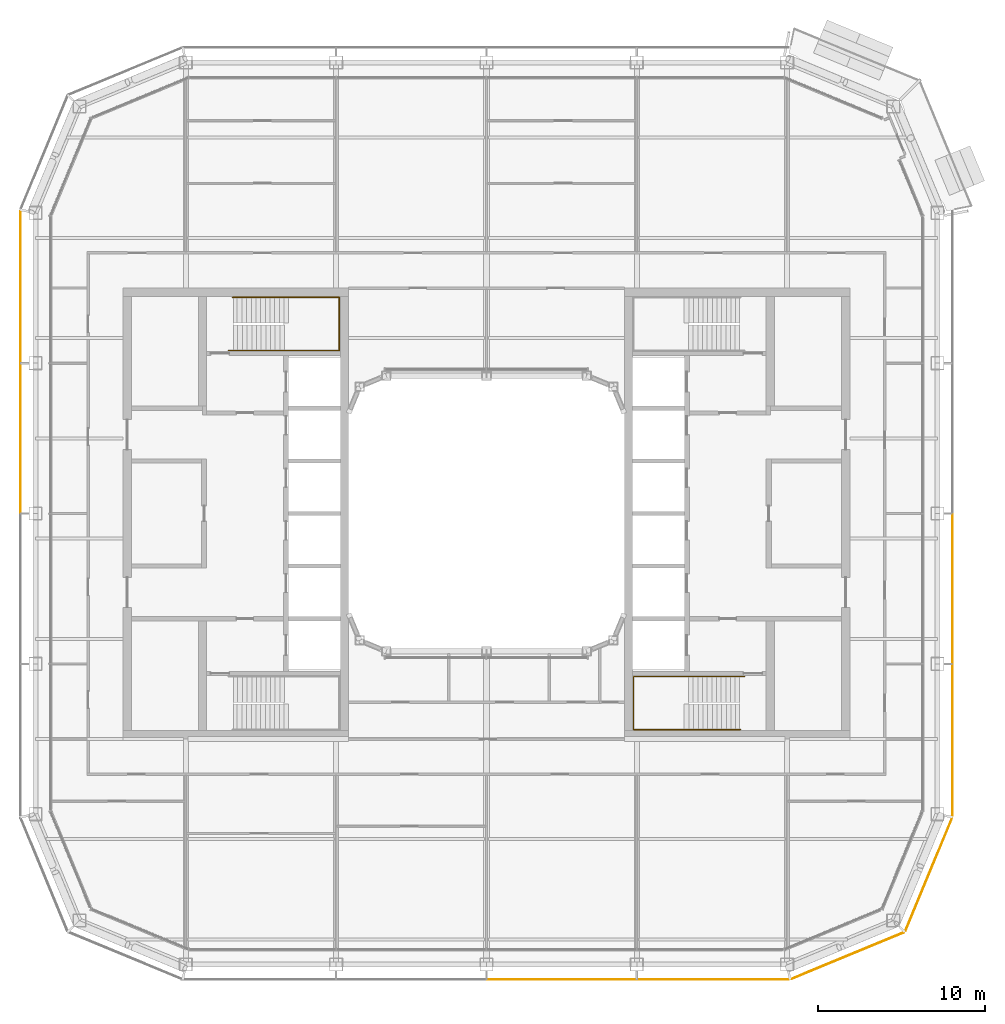
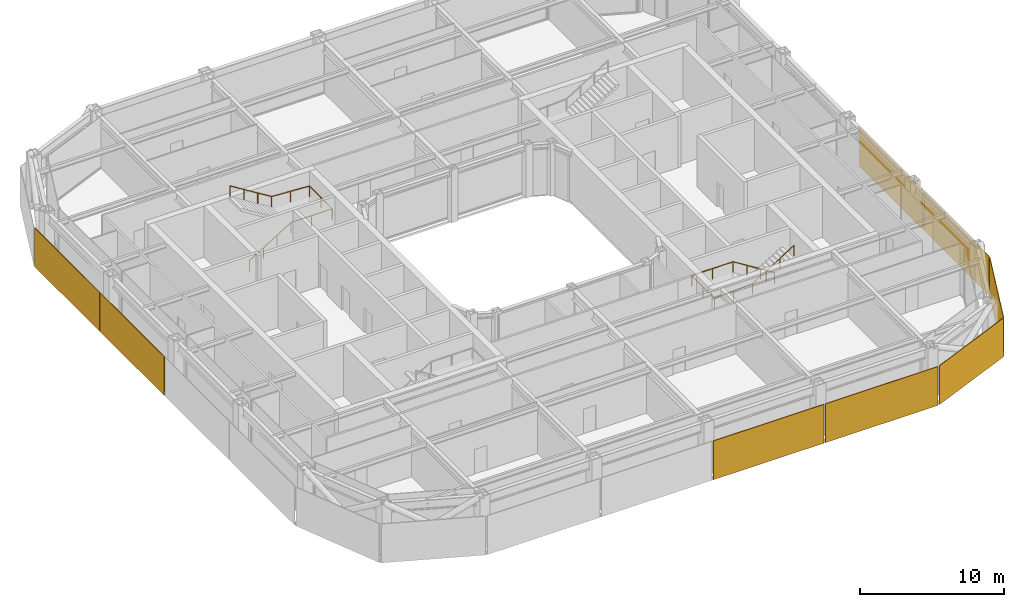
# One storey, part 20 of 23: 8 coverings, 2 railings.
"""IFC4 building model written with IfcOpenShell, lengths in metres."""

from ifc_helpers import new_model, si_unit, direction, frame, origin, origin_2d, place, context, subcontext, project, spatial, rectangle, circle, extrude, material, layer, layer_set, type_object, element, save


model = new_model("IFC4")

# Units and contexts
model_context = context("Model", 3, precision=1e-05, world=origin(), true_north=direction((0.0, 1.0)))
body_context = subcontext(model_context, "Body", "Model", "MODEL_VIEW")
ifc_project = project(units=[si_unit("LENGTHUNIT", "METRE"), si_unit("AREAUNIT", "SQUARE_METRE"), si_unit("VOLUMEUNIT", "CUBIC_METRE"), si_unit("PLANEANGLEUNIT", "RADIAN"), si_unit("MASSUNIT", "GRAM", prefix="KILO")], contexts=[model_context])

# Site, building, storey
site_placement = place(None, origin())
site = spatial("IfcSite", under=ifc_project, at=site_placement, CompositionType="ELEMENT")
building_placement = place(site_placement, origin())
building = spatial("IfcBuilding", under=site, at=building_placement, Name="Siwar Civic Tower", CompositionType="ELEMENT")
storey_placement = place(building_placement, frame((0.0, 0.0, 242.199951171875)))
storey = spatial("IfcBuildingStorey", under=building, at=storey_placement, Name="L52", CompositionType="ELEMENT", Elevation=242.199951171875)

# Railings
ifc_material_1 = material(Name="Stainless steel", Category="steel")
railing_type = type_object("IfcRailingType", Name="CORE-STAIR-HANDRAIL", PredefinedType="HANDRAIL", material=ifc_material_1)
railing_1_placement = place(storey_placement, frame((-15.449951171875, 9.758056640625, 0.173095703125)))
element("IfcRailing", 1, at=railing_1_placement, inside=storey, type_object=railing_type, Name="Stair handrail ST1", PredefinedType="HANDRAIL", context=body_context, shape_type="SweptSolid", body=[
    extrude(circle(Radius=0.02001953125, at=origin_2d()), frame((0.0, 0.0, 0.8798828125), z_axis=(0.847063342986, 0.0, 0.531491950051), x_axis=(0.0, 1.0, 0.0)), (0.0, 0.0, 1.0), 3.90771484375),
    extrude(circle(Radius=0.02001953125, at=origin_2d()), frame((3.31005859375, 0.0, 2.956787109375), z_axis=(1.0, 0.0, 0.0), x_axis=(0.0, 1.0, 0.0)), (0.0, 0.0, 1.0), 3.331787109375),
    extrude(circle(Radius=0.02001953125, at=origin_2d()), frame((6.641845703125, 0.0, 2.956787109375), z_axis=(0.0, 1.0, 0.0), x_axis=(-1.0, 0.0, 0.0)), (0.0, 0.0, 1.0), 3.183837890625),
    extrude(circle(Radius=0.02001953125, at=origin_2d()), frame((6.641845703125, 3.183837890625, 2.956787109375), z_axis=(-0.99837434197, 0.0, 0.056997134106), x_axis=(0.0, -1.0, 0.0)), (0.0, 0.0, 1.0), 3.036865234375),
    extrude(circle(Radius=0.02001953125, at=origin_2d()), frame((3.60986328125, 3.183837890625, 3.1298828125), z_axis=(-0.850606129759, 0.0, 0.525803396734), x_axis=(0.0, -1.0, 0.0)), (0.0, 0.0, 1.0), 3.949951171875),
    extrude(circle(Radius=0.02001953125, at=origin_2d()), origin(), (0.0, 0.0, 1.0), 0.85986328125),
    extrude(circle(Radius=0.02001953125, at=origin_2d()), frame((1.103271484375, 0.0, 0.6923828125)), (0.0, 0.0, 1.0), 0.85986328125),
    extrude(circle(Radius=0.02001953125, at=origin_2d()), frame((2.206787109375, 0.0, 1.384521484375)), (0.0, 0.0, 1.0), 0.85986328125),
    extrude(circle(Radius=0.02001953125, at=origin_2d()), frame((3.31005859375, 0.0, 2.076904296875)), (0.0, 0.0, 1.0), 0.85986328125),
    extrude(circle(Radius=0.02001953125, at=origin_2d()), frame((4.97607421875, 0.0, 2.076904296875)), (0.0, 0.0, 1.0), 0.85986328125),
    extrude(circle(Radius=0.02001953125, at=origin_2d()), frame((6.641845703125, 0.0, 2.076904296875)), (0.0, 0.0, 1.0), 0.85986328125),
    extrude(circle(Radius=0.02001953125, at=origin_2d()), frame((6.641845703125, 1.591796875, 2.076904296875)), (0.0, 0.0, 1.0), 0.85986328125),
    extrude(circle(Radius=0.02001953125, at=origin_2d()), frame((6.641845703125, 3.183837890625, 2.076904296875)), (0.0, 0.0, 1.0), 0.85986328125),
    extrude(circle(Radius=0.02001953125, at=origin_2d()), frame((5.1259765625, 3.183837890625, 2.16357421875)), (0.0, 0.0, 1.0), 0.85986328125),
    extrude(circle(Radius=0.02001953125, at=origin_2d()), frame((3.60986328125, 3.183837890625, 2.25)), (0.0, 0.0, 1.0), 0.85986328125),
    extrude(circle(Radius=0.02001953125, at=origin_2d()), frame((2.489990234375, 3.183837890625, 2.9423828125)), (0.0, 0.0, 1.0), 0.85986328125),
    extrude(circle(Radius=0.02001953125, at=origin_2d()), frame((1.369873046875, 3.183837890625, 3.634521484375)), (0.0, 0.0, 1.0), 0.85986328125),
    extrude(circle(Radius=0.02001953125, at=origin_2d()), frame((0.25, 3.183837890625, 4.326904296875)), (0.0, 0.0, 1.0), 0.85986328125),
])
railing_2_placement = place(storey_placement, frame((15.449951171875, -9.758056640625, 0.173095703125)))
element("IfcRailing", 2, at=railing_2_placement, inside=storey, type_object=railing_type, Name="Stair handrail ST4", PredefinedType="HANDRAIL", context=body_context, shape_type="SweptSolid", body=[
    extrude(circle(Radius=0.02001953125, at=origin_2d()), frame((0.0, 0.0, 0.8798828125), z_axis=(-0.847063342986, 0.0, 0.531491950051), x_axis=(0.0, -1.0, 0.0)), (0.0, 0.0, 1.0), 3.90771484375),
    extrude(circle(Radius=0.02001953125, at=origin_2d()), frame((-3.31005859375, 0.0, 2.956787109375), z_axis=(-1.0, 0.0, 0.0), x_axis=(0.0, -1.0, 0.0)), (0.0, 0.0, 1.0), 3.331787109375),
    extrude(circle(Radius=0.02001953125, at=origin_2d()), frame((-6.641845703125, 0.0, 2.956787109375), z_axis=(0.0, -1.0, 0.0), x_axis=(1.0, 0.0, 0.0)), (0.0, 0.0, 1.0), 3.183837890625),
    extrude(circle(Radius=0.02001953125, at=origin_2d()), frame((-6.641845703125, -3.183837890625, 2.956787109375), z_axis=(0.99837434197, 0.0, 0.056997134106), x_axis=(0.0, 1.0, 0.0)), (0.0, 0.0, 1.0), 3.036865234375),
    extrude(circle(Radius=0.02001953125, at=origin_2d()), frame((-3.60986328125, -3.183837890625, 3.1298828125), z_axis=(0.850606129759, 0.0, 0.525803396734), x_axis=(0.0, 1.0, 0.0)), (0.0, 0.0, 1.0), 3.949951171875),
    extrude(circle(Radius=0.02001953125, at=origin_2d()), origin(), (0.0, 0.0, 1.0), 0.85986328125),
    extrude(circle(Radius=0.02001953125, at=origin_2d()), frame((-1.103271484375, 0.0, 0.6923828125)), (0.0, 0.0, 1.0), 0.85986328125),
    extrude(circle(Radius=0.02001953125, at=origin_2d()), frame((-2.206787109375, 0.0, 1.384521484375)), (0.0, 0.0, 1.0), 0.85986328125),
    extrude(circle(Radius=0.02001953125, at=origin_2d()), frame((-3.31005859375, 0.0, 2.076904296875)), (0.0, 0.0, 1.0), 0.85986328125),
    extrude(circle(Radius=0.02001953125, at=origin_2d()), frame((-4.97607421875, 0.0, 2.076904296875)), (0.0, 0.0, 1.0), 0.85986328125),
    extrude(circle(Radius=0.02001953125, at=origin_2d()), frame((-6.641845703125, 0.0, 2.076904296875)), (0.0, 0.0, 1.0), 0.85986328125),
    extrude(circle(Radius=0.02001953125, at=origin_2d()), frame((-6.641845703125, -1.591796875, 2.076904296875)), (0.0, 0.0, 1.0), 0.85986328125),
    extrude(circle(Radius=0.02001953125, at=origin_2d()), frame((-6.641845703125, -3.183837890625, 2.076904296875)), (0.0, 0.0, 1.0), 0.85986328125),
    extrude(circle(Radius=0.02001953125, at=origin_2d()), frame((-5.1259765625, -3.183837890625, 2.16357421875)), (0.0, 0.0, 1.0), 0.85986328125),
    extrude(circle(Radius=0.02001953125, at=origin_2d()), frame((-3.60986328125, -3.183837890625, 2.25)), (0.0, 0.0, 1.0), 0.85986328125),
    extrude(circle(Radius=0.02001953125, at=origin_2d()), frame((-2.489990234375, -3.183837890625, 2.9423828125)), (0.0, 0.0, 1.0), 0.85986328125),
    extrude(circle(Radius=0.02001953125, at=origin_2d()), frame((-1.369873046875, -3.183837890625, 3.634521484375)), (0.0, 0.0, 1.0), 0.85986328125),
    extrude(circle(Radius=0.02001953125, at=origin_2d()), frame((-0.25, -3.183837890625, 4.326904296875)), (0.0, 0.0, 1.0), 0.85986328125),
])

# Coverings
ifc_material_2 = material(Name="Perforated aluminium cassette, pale metal", Category="aluminium")
ifc_layer_1 = layer(ifc_material_2, 0.0400390625)
ifc_layer_set_1 = layer_set([ifc_layer_1], Name="Perforated aluminium cassette, pale metal")
covering_type_1 = type_object("IfcCoveringType", Name="ENV-OUTER SKIN OS-1", PredefinedType="CLADDING", material=ifc_layer_set_1)
covering_1_placement = place(storey_placement, frame((27.89990234375, -13.57958984375, -0.14990234375), z_axis=(0.0, 0.0, 1.0), x_axis=(0.0, 1.0, 0.0)))
element("IfcCovering", 3, at=covering_1_placement, inside=storey, type_object=covering_type_1, Name="OUTER SKIN OS-1 E 1", PredefinedType="CLADDING", context=body_context, shape_type="SweptSolid", body=[
    extrude(rectangle(XDim=9.05908203125, YDim=0.0400390625, at=origin_2d()), origin(), (0.0, 0.0, 1.0), 3.300048828125),
])
covering_2_placement = place(storey_placement, frame((27.89990234375, -4.5, -0.14990234375), z_axis=(0.0, 0.0, 1.0), x_axis=(0.0, 1.0, 0.0)))
element("IfcCovering", 4, at=covering_2_placement, inside=storey, type_object=covering_type_1, Name="OUTER SKIN OS-1 E 2", PredefinedType="CLADDING", context=body_context, shape_type="SweptSolid", body=[
    extrude(rectangle(XDim=8.89990234375, YDim=0.0400390625, at=origin_2d()), origin(), (0.0, 0.0, 1.0), 3.300048828125),
])
ifc_material_3 = material(Name="Perforated aluminium cassette, pale metal", Category="aluminium")
ifc_layer_2 = layer(ifc_material_3, 0.044921875)
ifc_layer_set_2 = layer_set([ifc_layer_2], Name="Perforated aluminium cassette, pale metal")
covering_type_2 = type_object("IfcCoveringType", Name="ENV-OUTER SKIN OS-2", PredefinedType="CLADDING", material=ifc_layer_set_2)
covering_3_placement = place(storey_placement, frame((26.476318359375, -21.615966796875, -0.14990234375), z_axis=(0.0, 0.0, 1.0), x_axis=(0.382683432365, 0.923879532511, 0.0)))
element("IfcCovering", 5, at=covering_3_placement, inside=storey, type_object=covering_type_2, Name="OUTER SKIN OS-2 SE2 1", PredefinedType="CLADDING", context=body_context, shape_type="SweptSolid", body=[
    extrude(rectangle(XDim=7.300048828125, YDim=0.044921875, at=origin_2d()), origin(), (0.0, 0.0, 1.0), 3.300048828125),
])
ifc_material_4 = material(Name="Perforated aluminium cassette, pale metal", Category="aluminium")
ifc_layer_3 = layer(ifc_material_4, 0.050048828125)
ifc_layer_set_3 = layer_set([ifc_layer_3], Name="Perforated aluminium cassette, pale metal")
covering_type_3 = type_object("IfcCoveringType", Name="ENV-OUTER SKIN OS-3", PredefinedType="CLADDING", material=ifc_layer_set_3)
covering_4_placement = place(storey_placement, frame((21.615966796875, -26.476318359375, -0.14990234375), z_axis=(0.0, 0.0, 1.0), x_axis=(0.923879532511, 0.382683432365, 0.0)))
element("IfcCovering", 6, at=covering_4_placement, inside=storey, type_object=covering_type_3, Name="OUTER SKIN OS-3 SE1 1", PredefinedType="CLADDING", context=body_context, shape_type="SweptSolid", body=[
    extrude(rectangle(XDim=7.300048828125, YDim=0.050048828125, at=origin_2d()), origin(), (0.0, 0.0, 1.0), 3.300048828125),
])
covering_5_placement = place(storey_placement, frame((-27.89990234375, 13.57958984375, -0.14990234375), z_axis=(0.0, 0.0, 1.0), x_axis=(0.0, -1.0, 0.0)))
element("IfcCovering", 7, at=covering_5_placement, inside=storey, type_object=covering_type_3, Name="OUTER SKIN OS-3 W 1", PredefinedType="CLADDING", context=body_context, shape_type="SweptSolid", body=[
    extrude(rectangle(XDim=9.05908203125, YDim=0.050048828125, at=origin_2d()), origin(), (0.0, 0.0, 1.0), 3.300048828125),
])
covering_6_placement = place(storey_placement, frame((-27.89990234375, 4.5, -0.14990234375), z_axis=(0.0, 0.0, 1.0), x_axis=(0.0, -1.0, 0.0)))
element("IfcCovering", 8, at=covering_6_placement, inside=storey, type_object=covering_type_3, Name="OUTER SKIN OS-3 W 2", PredefinedType="CLADDING", context=body_context, shape_type="SweptSolid", body=[
    extrude(rectangle(XDim=8.89990234375, YDim=0.050048828125, at=origin_2d()), origin(), (0.0, 0.0, 1.0), 3.300048828125),
])
ifc_material_5 = material(Name="Perforated aluminium cassette, pale metal", Category="aluminium")
ifc_layer_4 = layer(ifc_material_5, 0.054931640625)
ifc_layer_set_4 = layer_set([ifc_layer_4], Name="Perforated aluminium cassette, pale metal")
covering_type_4 = type_object("IfcCoveringType", Name="ENV-OUTER SKIN OS-4", PredefinedType="CLADDING", material=ifc_layer_set_4)
covering_7_placement = place(storey_placement, frame((4.5, -27.89990234375, -0.14990234375), z_axis=(0.0, 0.0, 1.0), x_axis=(1.0, 0.0, 0.0)))
element("IfcCovering", 9, at=covering_7_placement, inside=storey, type_object=covering_type_4, Name="OUTER SKIN OS-4 S 3", PredefinedType="CLADDING", context=body_context, shape_type="SweptSolid", body=[
    extrude(rectangle(XDim=8.89990234375, YDim=0.054931640625, at=origin_2d()), origin(), (0.0, 0.0, 1.0), 3.300048828125),
])
covering_8_placement = place(storey_placement, frame((13.57958984375, -27.89990234375, -0.14990234375), z_axis=(0.0, 0.0, 1.0), x_axis=(1.0, 0.0, 0.0)))
element("IfcCovering", 10, at=covering_8_placement, inside=storey, type_object=covering_type_4, Name="OUTER SKIN OS-4 S 4", PredefinedType="CLADDING", context=body_context, shape_type="SweptSolid", body=[
    extrude(rectangle(XDim=9.05908203125, YDim=0.054931640625, at=origin_2d()), origin(), (0.0, 0.0, 1.0), 3.300048828125),
])

save(model, "model.ifc")
